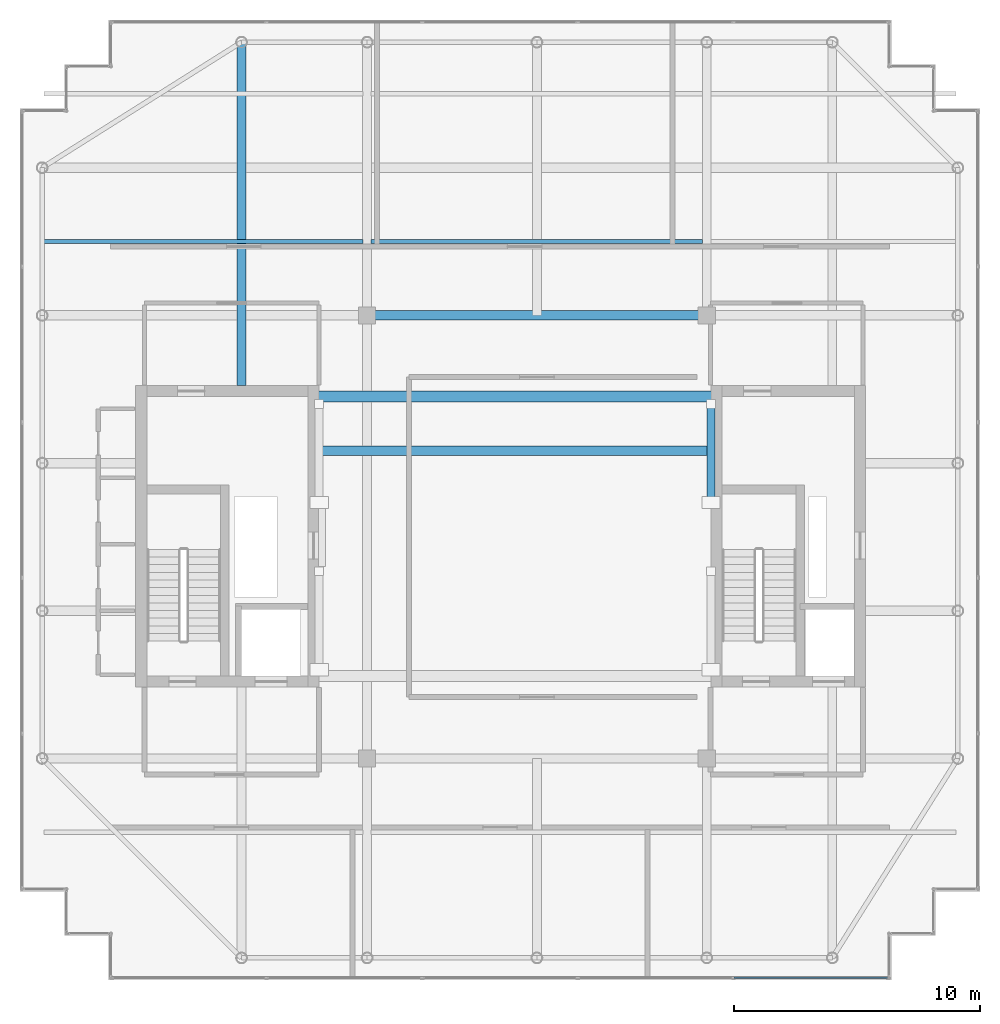
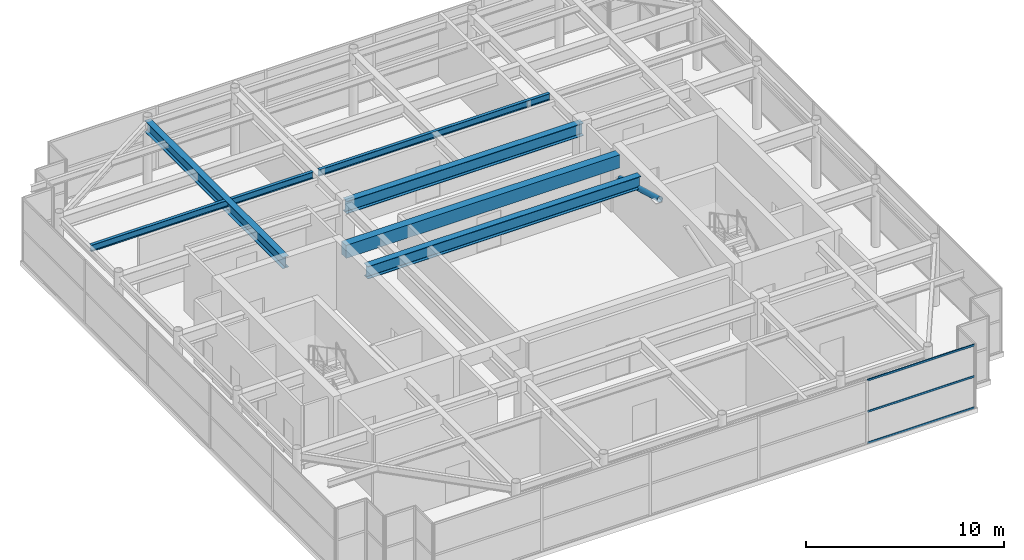
# One storey, part 14 of 33: 6 beams, 4 members, 1 element without a shape of its own.
"""IFC4 building model written with IfcOpenShell, lengths in metres."""

from ifc_helpers import new_model, si_unit, direction, frame, origin, origin_2d, place, context, subcontext, project, spatial, rectangle, hollow_rectangle, hollow_circle, i_section, extrude, source, transform, mapped, material, layer, layer_set, material_profile, profile_set, type_object, element, aggregate, save


model = new_model("IFC4")

# Units and contexts
model_context = context("Model", 3, precision=1e-05, world=origin(), true_north=direction((0.0, 1.0)))
body_context = subcontext(model_context, "Body", "Model", "MODEL_VIEW")
ifc_project = project(units=[si_unit("LENGTHUNIT", "METRE"), si_unit("AREAUNIT", "SQUARE_METRE"), si_unit("VOLUMEUNIT", "CUBIC_METRE"), si_unit("PLANEANGLEUNIT", "RADIAN"), si_unit("MASSUNIT", "GRAM", prefix="KILO")], contexts=[model_context])

# Site, building, storey
site_placement = place(None, origin())
site = spatial("IfcSite", under=ifc_project, at=site_placement, CompositionType="ELEMENT")
building_placement = place(site_placement, origin())
building = spatial("IfcBuilding", under=site, at=building_placement, Name="Khoralis Quay Care Tower", CompositionType="ELEMENT")
storey_placement = place(building_placement, frame((0.0, 0.0, 302.10009765625)))
storey = spatial("IfcBuildingStorey", under=building, at=storey_placement, Name="L79", CompositionType="ELEMENT", Elevation=302.10009765625)

# Beams
ifc_material_1 = material(Name="Concrete C50/60", Category="concrete")
ifc_material_profile_1 = material_profile(ifc_material_1, rectangle(XDim=0.449951171875, YDim=0.800048828125, at=origin_2d()), Name="Concrete C50/60")
ifc_profile_set_1 = profile_set([ifc_material_profile_1], Name="Concrete C50/60")
beam_type_1 = type_object("IfcBeamType", Name="CB-RC450X800", PredefinedType="LINTEL", material=ifc_profile_set_1)
shared_shape_1 = source(origin(), body_context, "Body", "SweptSolid", [
    extrude(rectangle(XDim=0.449951171875, YDim=0.800048828125, at=origin_2d()), origin(), (0.0, 0.0, 1.0), 15.97998046875),
])
beam_1_placement = place(storey_placement, frame((15.1201171875, 26.699951171875, 3.52001953125), z_axis=(1.0, 0.0, 0.0), x_axis=(0.0, 1.0, 0.0)))
element("IfcBeam", 1, at=beam_1_placement, inside=storey, type_object=beam_type_1, Name="L79 North Core Coupling Lintel", PredefinedType="LINTEL", context=body_context, shape_type="MappedRepresentation", body=[
    mapped(shared_shape_1, transform((0.0, 0.0, 0.0), scale=1.0)),
])
ifc_material_2 = material(Name="Steel S355", Category="steel")
ifc_material_profile_2 = material_profile(ifc_material_2, i_section(OverallWidth=0.381103515625, OverallDepth=0.77294921875, WebThickness=0.0166015625, FlangeThickness=0.027587890625, FilletRadius=0.02197265625, at=origin_2d()), Name="Steel S355")
ifc_profile_set_2 = profile_set([ifc_material_profile_2], Name="Steel S355")
beam_type_2 = type_object("IfcBeamType", Name="BM-W760X257", PredefinedType="BEAM", material=ifc_profile_set_2)
shared_shape_2 = source(origin(), body_context, "Body", "SweptSolid", [
    extrude(i_section(OverallWidth=0.381103515625, OverallDepth=0.77294921875, WebThickness=0.0166015625, FlangeThickness=0.027587890625, FilletRadius=0.02197265625, at=origin_2d()), origin(), (0.0, 0.0, 1.0), 13.7998046875),
])
beam_2_placement = place(storey_placement, frame((17.10009765625, 30.0, 3.533447265625), z_axis=(1.0, 0.0, 0.0), x_axis=(0.0, 1.0, 0.0)))
element("IfcBeam", 2, at=beam_2_placement, inside=storey, type_object=beam_type_2, Name="BM-TGCC-L79-300", PredefinedType="BEAM", context=body_context, shape_type="MappedRepresentation", body=[
    mapped(shared_shape_2, transform((0.0, 0.0, 0.0), scale=1.0)),
])
ifc_material_profile_3 = material_profile(ifc_material_2, i_section(OverallWidth=0.177978515625, OverallDepth=0.406982421875, WebThickness=0.0078125, FlangeThickness=0.0126953125, FilletRadius=0.012939453125, at=origin_2d()), Name="Steel S355")
ifc_profile_set_3 = profile_set([ifc_material_profile_3], Name="Steel S355")
beam_type_3 = type_object("IfcBeamType", Name="BM-W410X60", PredefinedType="JOIST", material=ifc_profile_set_3)
shared_shape_3 = source(origin(), body_context, "Body", "SweptSolid", [
    extrude(i_section(OverallWidth=0.177978515625, OverallDepth=0.406982421875, WebThickness=0.0078125, FlangeThickness=0.0126953125, FilletRadius=0.012939453125, at=origin_2d()), origin(), (0.0, 0.0, 1.0), 13.46923828125),
])
beam_3_placement = place(storey_placement, frame((17.265380859375, 33.0, 3.71630859375), z_axis=(1.0, 0.0, 0.0), x_axis=(0.0, 1.0, 0.0)))
element("IfcBeam", 3, at=beam_3_placement, inside=storey, type_object=beam_type_3, Name="BM-TJS-L79-26", PredefinedType="JOIST", context=body_context, shape_type="MappedRepresentation", body=[
    mapped(shared_shape_3, transform((0.0, 0.0, 0.0), scale=1.0)),
])
shared_shape_4 = source(origin(), body_context, "Body", "SweptSolid", [
    extrude(i_section(OverallWidth=0.381103515625, OverallDepth=0.77294921875, WebThickness=0.0166015625, FlangeThickness=0.027587890625, FilletRadius=0.02197265625, at=origin_2d()), origin(), (0.0, 0.0, 1.0), 15.924072265625),
])
beam_4_placement = place(storey_placement, frame((15.14794921875, 24.5, 3.533447265625), z_axis=(1.0, 0.0, 0.0), x_axis=(0.0, 1.0, 0.0)))
element("IfcBeam", 4, at=beam_4_placement, inside=storey, type_object=beam_type_2, Name="BM-TGCC-L79-245", PredefinedType="BEAM", context=body_context, shape_type="MappedRepresentation", body=[
    mapped(shared_shape_4, transform((0.0, 0.0, 0.0), scale=1.0)),
])
ifc_material_profile_4 = material_profile(ifc_material_2, i_section(OverallWidth=0.35498046875, OverallDepth=0.695068359375, WebThickness=0.015380859375, FlangeThickness=0.02490234375, FilletRadius=0.02001953125, at=origin_2d()), Name="Steel S355")
ifc_profile_set_4 = profile_set([ifc_material_profile_4], Name="Steel S355")
beam_type_4 = type_object("IfcBeamType", Name="BM-W690X217", PredefinedType="BEAM", material=ifc_profile_set_4)
shared_shape_5 = source(origin(), body_context, "Body", "SweptSolid", [
    extrude(i_section(OverallWidth=0.35498046875, OverallDepth=0.695068359375, WebThickness=0.015380859375, FlangeThickness=0.02490234375, FilletRadius=0.02001953125, at=origin_2d()), origin(), (0.0, 0.0, 1.0), 13.9521484375),
])
beam_5_placement = place(storey_placement, frame((12.0, 27.14794921875, 3.572509765625), z_axis=(0.0, 1.0, 0.0), x_axis=(-1.0, 0.0, 0.0)))
element("IfcBeam", 5, at=beam_5_placement, inside=storey, type_object=beam_type_4, Name="BM-TGYN-L79-120", PredefinedType="BEAM", context=body_context, shape_type="MappedRepresentation", body=[
    mapped(shared_shape_5, transform((0.0, 0.0, 0.0), scale=1.0)),
])
shared_shape_6 = source(origin(), body_context, "Body", "SweptSolid", [
    extrude(i_section(OverallWidth=0.177978515625, OverallDepth=0.406982421875, WebThickness=0.0078125, FlangeThickness=0.0126953125, FilletRadius=0.012939453125, at=origin_2d()), origin(), (0.0, 0.0, 1.0), 12.95361328125),
])
beam_6_placement = place(storey_placement, frame((3.98095703125, 33.0, 3.71630859375), z_axis=(1.0, 0.0, 0.0), x_axis=(0.0, 1.0, 0.0)))
element("IfcBeam", 6, at=beam_6_placement, inside=storey, type_object=beam_type_3, Name="BM-TJS-L79-24", PredefinedType="JOIST", context=body_context, shape_type="MappedRepresentation", body=[
    mapped(shared_shape_6, transform((0.0, 0.0, 0.0), scale=1.0)),
])

# Member
ifc_material_profile_5 = material_profile(ifc_material_2, hollow_circle(Radius=0.161865234375, WallThickness=0.01611328125, at=origin_2d()), Name="Steel S355")
ifc_profile_set_5 = profile_set([ifc_material_profile_5], Name="Steel S355")
member_type_1 = type_object("IfcMemberType", Name="ST-CHS323X16", PredefinedType="STRUT", material=ifc_profile_set_5)
shared_shape_7 = source(origin(), body_context, "Body", "SweptSolid", [
    extrude(hollow_circle(Radius=0.161865234375, WallThickness=0.01611328125, at=origin_2d()), origin(), (0.0, 0.0, 1.0), 4.156494140625),
])
member_1_placement = place(storey_placement, frame((31.072021484375, 22.39990234375, 3.64990234375), z_axis=(0.0, 0.962344148942, -0.2718340284), x_axis=(-1.0, 0.0, 0.0)))
element("IfcMember", 7, at=member_1_placement, inside=storey, type_object=member_type_1, Name="L79 Lantern Diagrid Strut 4", PredefinedType="STRUT", context=body_context, shape_type="MappedRepresentation", body=[
    mapped(shared_shape_7, transform((0.0, 0.0, 0.0), scale=1.0)),
])

# Curtain wall, members
ifc_material_3 = material(Name="Pale anodised aluminium", Category="aluminium")
ifc_layer = layer(ifc_material_3, 0.199951171875)
ifc_layer_set = layer_set([ifc_layer], Name="Pale anodised aluminium")
curtain_wall_type = type_object("IfcCurtainWallType", Name="CW-SYS-LANTERN", PredefinedType="NOTDEFINED", material=ifc_layer_set)
curtain_wall_placement = place(storey_placement, origin())
curtain_wall = element("IfcCurtainWall", 8, at=curtain_wall_placement, inside=storey, type_object=curtain_wall_type, Name="L79 Unitised Curtain Wall CW-LN-L79-01", PredefinedType="NOTDEFINED")
ifc_material_profile_6 = material_profile(ifc_material_3, hollow_rectangle(XDim=0.054931640625, YDim=0.1201171875, WallThickness=0.00390625, at=origin_2d()), Name="Pale anodised aluminium")
ifc_profile_set_6 = profile_set([ifc_material_profile_6], Name="Pale anodised aluminium")
member_type_2 = type_object("IfcMemberType", Name="CW-TRN-120", PredefinedType="USERDEFINED", material=ifc_profile_set_6)
shared_shape_8 = source(origin(), body_context, "Body", "SweptSolid", [
    extrude(hollow_rectangle(XDim=0.054931640625, YDim=0.1201171875, WallThickness=0.00390625, at=origin_2d()), origin(), (0.0, 0.0, 1.0), 6.23388671875),
])
member_2_placement = place(storey_placement, frame((32.01611328125, 3.090087890625, 0.02978515625), z_axis=(1.0, 0.0, 0.0), x_axis=(0.0, 1.0, 0.0)))
member_2 = element("IfcMember", 9, at=member_2_placement, type_object=member_type_2, Name="CW5 transom 5.1", ObjectType="TRANSOM", PredefinedType="USERDEFINED", context=body_context, shape_type="MappedRepresentation", body=[
    mapped(shared_shape_8, transform((0.0, 0.0, 0.0), scale=1.0)),
])
member_3_placement = place(storey_placement, frame((32.01611328125, 3.090087890625, 1.9599609375), z_axis=(1.0, 0.0, 0.0), x_axis=(0.0, 1.0, 0.0)))
member_3 = element("IfcMember", 10, at=member_3_placement, type_object=member_type_2, Name="CW5 transom 5.2", ObjectType="TRANSOM", PredefinedType="USERDEFINED", context=body_context, shape_type="MappedRepresentation", body=[
    mapped(shared_shape_8, transform((0.0, 0.0, 0.0), scale=1.0)),
])
member_4_placement = place(storey_placement, frame((32.01611328125, 3.090087890625, 3.889892578125), z_axis=(1.0, 0.0, 0.0), x_axis=(0.0, 1.0, 0.0)))
member_4 = element("IfcMember", 11, at=member_4_placement, type_object=member_type_2, Name="CW5 transom 5.3", ObjectType="TRANSOM", PredefinedType="USERDEFINED", context=body_context, shape_type="MappedRepresentation", body=[
    mapped(shared_shape_8, transform((0.0, 0.0, 0.0), scale=1.0)),
])
aggregate(curtain_wall, [member_2, member_3, member_4])

save(model, "model.ifc")
